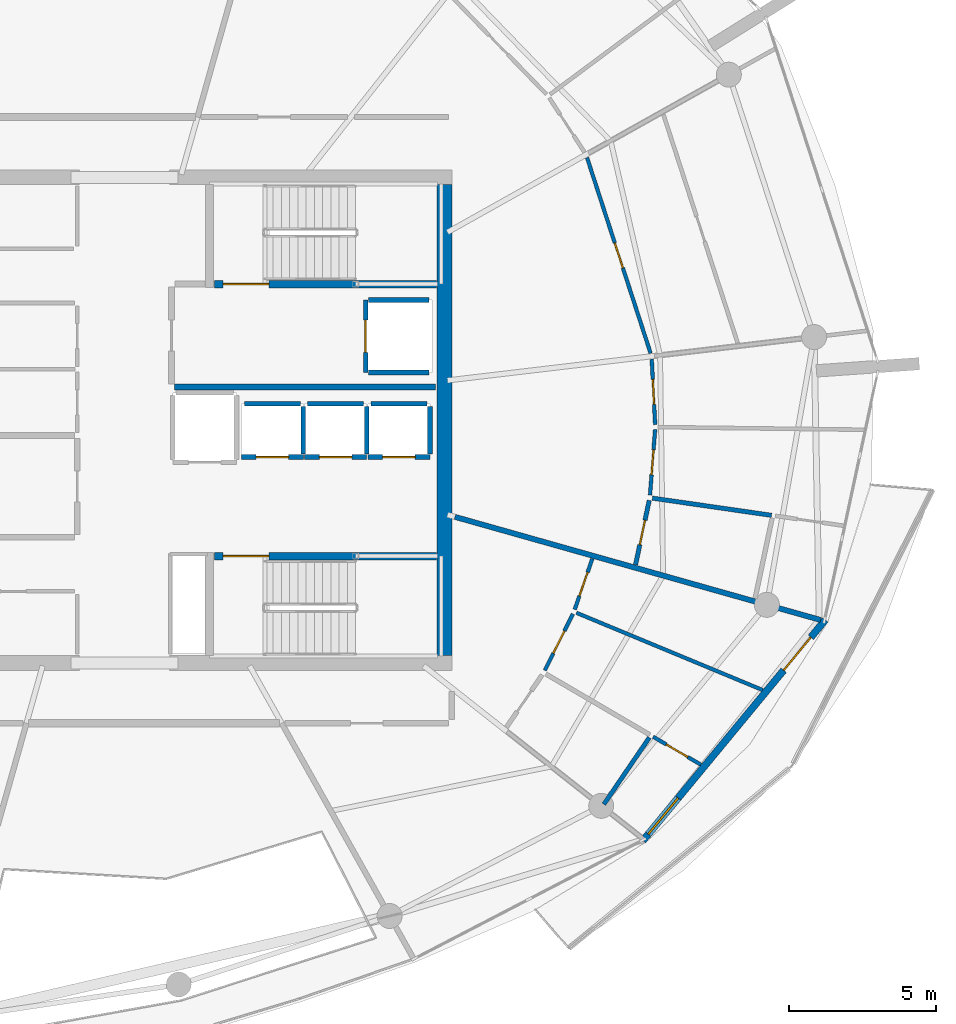
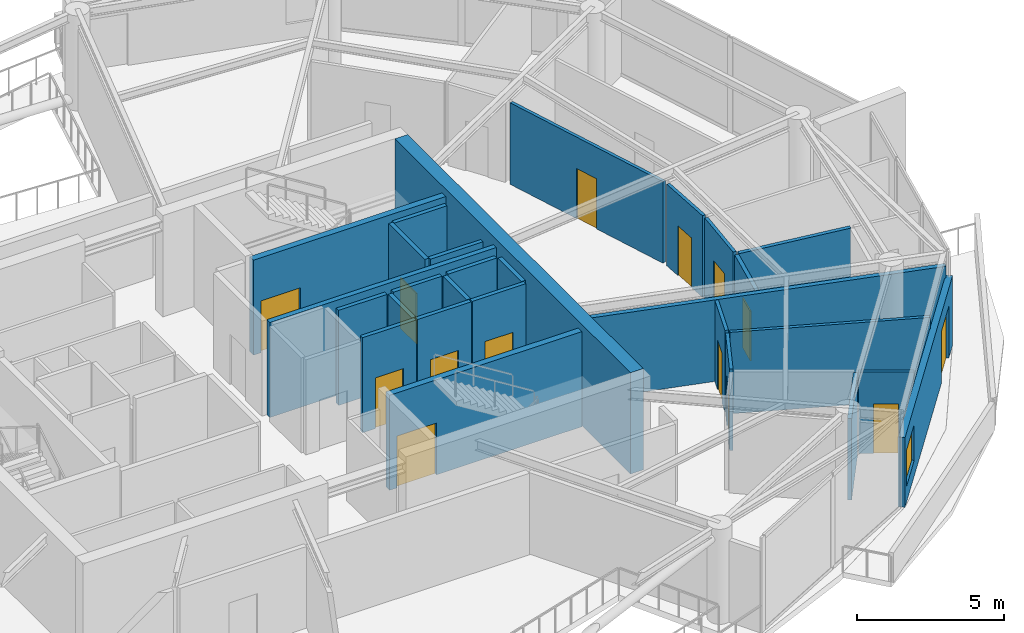
# One storey, part 15 of 22: 28 walls, 14 doors, 1 window, 15 openings.
"""IFC4 building model written with IfcOpenShell, lengths in metres."""

from ifc_helpers import new_model, si_unit, direction, frame, frame_2d, origin, place, context, subcontext, project, spatial, rectangle, extrude, material, layer, layer_set, type_object, element, fill, save


model = new_model("IFC4")

# Units and contexts
model_context = context("Model", 3, precision=1e-05, world=origin(), true_north=direction((0.0, 1.0)))
body_context = subcontext(model_context, "Body", "Model", "MODEL_VIEW")
ifc_project = project(units=[si_unit("LENGTHUNIT", "METRE"), si_unit("AREAUNIT", "SQUARE_METRE"), si_unit("VOLUMEUNIT", "CUBIC_METRE"), si_unit("PLANEANGLEUNIT", "RADIAN"), si_unit("MASSUNIT", "GRAM", prefix="KILO")], contexts=[model_context])

# Site, building, storey
site_placement = place(None, origin())
site = spatial("IfcSite", under=ifc_project, at=site_placement, CompositionType="ELEMENT")
building_placement = place(site_placement, origin())
building = spatial("IfcBuilding", under=site, at=building_placement, Name="Kazma Halo Residences", CompositionType="ELEMENT")
storey_placement = place(building_placement, frame((0.0, 0.0, 330.5)))
storey = spatial("IfcBuildingStorey", under=building, at=storey_placement, Name="L83", CompositionType="ELEMENT", Elevation=330.5)

# Walls
ifc_material_1 = material(Name="Concrete C60/75", Category="concrete")
ifc_layer_1 = layer(ifc_material_1, 0.5)
ifc_layer_set_1 = layer_set([ifc_layer_1], Name="Concrete C60/75")
wall_type_1 = type_object("IfcWallType", Name="WL-CORE-500", PredefinedType="SHEAR", material=ifc_layer_set_1)
wall_1_placement = place(storey_placement, frame((59.300048828125, 34.0, 0.0), z_axis=(0.0, 0.0, 1.0), x_axis=(0.0, 1.0, 0.0)))
element("IfcWall", 1, at=wall_1_placement, inside=storey, type_object=wall_type_1, Name="L83 central core shear wall E", PredefinedType="SHEAR", context=body_context, shape_type="SweptSolid", body=[
    extrude(rectangle(XDim=16.0, YDim=0.5, at=frame_2d((8.0, 0.0))), origin(), (0.0, 0.0, 1.0), 4.199951171875),
])
ifc_material_2 = material(Name="Acoustic Twin-Stud Gypsum")
ifc_layer_2 = layer(ifc_material_2, 0.179931640625)
ifc_layer_set_2 = layer_set([ifc_layer_2], Name="Acoustic Twin-Stud Gypsum")
wall_type_2 = type_object("IfcWallType", Name="WL-DEM-180", PredefinedType="PARTITIONING", material=ifc_layer_set_2)
wall_2_placement = place(storey_placement, frame((59.656005859375, 38.712646484375, 0.0), z_axis=(0.0, 0.0, 1.0), x_axis=(0.962457020055, -0.271434125613, 0.0)))
element("IfcWall", 2, at=wall_2_placement, inside=storey, type_object=wall_type_2, Name="L83 apartment demising radial wall 14", PredefinedType="PARTITIONING", context=body_context, shape_type="SweptSolid", body=[
    extrude(rectangle(XDim=12.916015625, YDim=0.179931640625, at=frame_2d((6.4580078125, 0.0))), origin(), (0.0, 0.0, 1.0), 3.3798828125),
])

# Wall, openings, door, window
ifc_material_3 = material(Name="Insulated Pale-Metal Composite Wall")
ifc_layer_3 = layer(ifc_material_3, 0.239990234375)
ifc_layer_set_3 = layer_set([ifc_layer_3], Name="Insulated Pale-Metal Composite Wall")
wall_type_3 = type_object("IfcWallType", Name="WL-EXT-HOST-240", PredefinedType="SOLIDWALL", material=ifc_layer_set_3)
wall_3_placement = place(storey_placement, frame((66.044677734375, 27.711181640625, 0.0), z_axis=(0.0, 0.0, 1.0), x_axis=(0.636803612721, 0.771026042897, 0.0)))
wall_3 = element("IfcWall", 3, at=wall_3_placement, inside=storey, type_object=wall_type_3, Name="L83 exterior terrace-access wall B14", PredefinedType="SOLIDWALL", context=body_context, shape_type="SweptSolid", body=[
    extrude(rectangle(XDim=9.7275390625, YDim=0.239990234375, at=frame_2d((4.86376953125, 0.0))), origin(), (0.0, 0.0, 1.0), 2.889892578125),
])
opening_1_placement = place(wall_3_placement, frame((7.5078125, 0.0, 0.0)))
opening_1 = element("IfcOpeningElement", 4, at=opening_1_placement, cuts=wall_3, Name="Opening DTR-1600", PredefinedType="OPENING", context=body_context, shape_type="SweptSolid", body=[
    extrude(rectangle(XDim=1.449951171875, YDim=2.14990234375, at=frame_2d((0.72509765625, 1.074951171875))), frame((0.0, 0.1298828125, 0.0), z_axis=(0.0, -1.0, 0.0), x_axis=(1.0, 0.0, 0.0)), (0.0, 0.0, 1.0), 0.260009765625),
])
opening_2_placement = place(wall_3_placement, frame((0.280029296875, 0.0, 0.64990234375)))
opening_2 = element("IfcOpeningElement", 5, at=opening_2_placement, cuts=wall_3, Name="Opening W-1800", PredefinedType="OPENING", context=body_context, shape_type="SweptSolid", body=[
    extrude(rectangle(XDim=1.60009765625, YDim=1.5, at=frame_2d((0.800048828125, 0.75))), frame((0.0, 0.1298828125, 0.0), z_axis=(0.0, -1.0, 0.0), x_axis=(1.0, 0.0, 0.0)), (0.0, 0.0, 1.0), 0.260009765625),
])
ifc_material_4 = material(Name="Aluminium AW-6063 T6 Double-Glazed Terrace Door", Category="aluminium")
door_type_1 = type_object("IfcDoorType", Name="DR-EXT-TERR-1600", OperationType="NOTDEFINED", PredefinedType="DOOR", material=ifc_material_4)
door_1_placement = place(opening_1_placement, origin())
door_1 = element("IfcDoor", 6, at=door_1_placement, inside=storey, type_object=door_type_1, Name="L83 B14 balcony terrace door", OperationType="DOUBLE_DOOR_SLIDING", OverallHeight=2.14990234375, OverallWidth=1.449951171875, PredefinedType="DOOR", context=body_context, shape_type="SweptSolid", body=[
    extrude(rectangle(XDim=1.449951171875, YDim=2.14990234375, at=frame_2d((0.72509765625, 1.074951171875))), frame((0.0, 0.02490234375, 0.0), z_axis=(0.0, -1.0, 0.0), x_axis=(1.0, 0.0, 0.0)), (0.0, 0.0, 1.0), 0.050048828125),
])
fill(opening_1, door_1)
ifc_material_5 = material(Name="Clear Triple-Silver Low-E Glass in Aluminium AW-6063 T6 Frame", Category="aluminium")
window_type = type_object("IfcWindowType", Name="WIN-RES-1800", PartitioningType="DOUBLE_PANEL_VERTICAL", PredefinedType="WINDOW", material=ifc_material_5)
window_placement = place(opening_2_placement, origin())
window = element("IfcWindow", 7, at=window_placement, inside=storey, type_object=window_type, Name="L83 B14 apartment window", OverallHeight=1.5, OverallWidth=1.60009765625, PartitioningType="SINGLE_PANEL", PredefinedType="WINDOW", context=body_context, shape_type="SweptSolid", body=[
    extrude(rectangle(XDim=1.60009765625, YDim=1.5, at=frame_2d((0.800048828125, 0.75))), frame((0.0, 0.030029296875, 0.0), z_axis=(0.0, -1.0, 0.0), x_axis=(1.0, 0.0, 0.0)), (0.0, 0.0, 1.0), 0.06005859375),
])
fill(opening_2, window)

# Wall, opening, door
ifc_material_6 = material(Name="Fire-Rated Blockwork Masonry", Category="masonry")
ifc_layer_4 = layer(ifc_material_6, 0.199951171875)
ifc_layer_set_4 = layer_set([ifc_layer_4], Name="Fire-Rated Blockwork Masonry")
wall_type_4 = type_object("IfcWallType", Name="WL-FLB-200", PredefinedType="PARTITIONING", material=ifc_layer_set_4)
wall_4_placement = place(storey_placement, frame((54.5048828125, 40.7451171875, 0.0), z_axis=(0.0, 0.0, 1.0), x_axis=(-1.0, 0.0, 0.0)))
wall_4 = element("IfcWall", 8, at=wall_4_placement, inside=storey, type_object=wall_type_4, Name="L83 lift shaft PH-01 front wall", PredefinedType="PARTITIONING", context=body_context, shape_type="SweptSolid", body=[
    extrude(rectangle(XDim=2.10986328125, YDim=0.159912109375, at=frame_2d((1.054931640625, 0.0))), origin(), (0.0, 0.0, 1.0), 3.93994140625),
])
opening_3_placement = place(wall_4_placement, frame((0.5048828125, 0.0, 0.0)))
opening_3 = element("IfcOpeningElement", 9, at=opening_3_placement, cuts=wall_4, Name="Opening LD-PH-01", PredefinedType="OPENING", context=body_context, shape_type="SweptSolid", body=[
    extrude(rectangle(XDim=1.10009765625, YDim=2.10009765625, at=frame_2d((0.550048828125, 1.050048828125))), frame((0.0, 0.08984375, 0.0), z_axis=(0.0, -1.0, 0.0), x_axis=(1.0, 0.0, 0.0)), (0.0, 0.0, 1.0), 0.179931640625),
])
ifc_material_7 = material(Name="Stainless Steel Fire-Rated", Category="steel")
door_type_2 = type_object("IfcDoorType", Name="DR-LIFT-SLD-1100", OperationType="DOUBLE_DOOR_SLIDING", PredefinedType="DOOR", material=ifc_material_7)
door_2_placement = place(opening_3_placement, origin())
door_2 = element("IfcDoor", 10, at=door_2_placement, inside=storey, type_object=door_type_2, Name="L83 lift PH-01 sliding landing door", OperationType="DOUBLE_DOOR_SLIDING", OverallHeight=2.10009765625, OverallWidth=1.10009765625, PredefinedType="DOOR", context=body_context, shape_type="SweptSolid", body=[
    extrude(rectangle(XDim=1.10009765625, YDim=2.10009765625, at=frame_2d((0.550048828125, 1.050048828125))), frame((0.0, 0.02490234375, 0.0), z_axis=(0.0, -1.0, 0.0), x_axis=(1.0, 0.0, 0.0)), (0.0, 0.0, 1.0), 0.050048828125),
])
fill(opening_3, door_2)

# Walls
wall_5_placement = place(storey_placement, frame((54.5048828125, 40.844970703125, 0.0), z_axis=(0.0, 0.0, 1.0), x_axis=(0.0, 1.0, 0.0)))
element("IfcWall", 11, at=wall_5_placement, inside=storey, type_object=wall_type_4, Name="L83 lift shaft PH-01 side wall E", PredefinedType="PARTITIONING", context=body_context, shape_type="SweptSolid", body=[
    extrude(rectangle(XDim=1.610107421875, YDim=0.159912109375, at=frame_2d((0.80517578125, 0.0))), origin(), (0.0, 0.0, 1.0), 3.93994140625),
])
wall_6_placement = place(storey_placement, frame((52.4951171875, 42.554931640625, 0.0), z_axis=(0.0, 0.0, 1.0), x_axis=(1.0, 0.0, 0.0)))
element("IfcWall", 12, at=wall_6_placement, inside=storey, type_object=wall_type_4, Name="L83 lift shaft PH-01 side wall N", PredefinedType="PARTITIONING", context=body_context, shape_type="SweptSolid", body=[
    extrude(rectangle(XDim=1.909912109375, YDim=0.159912109375, at=frame_2d((0.955078125, 0.0))), origin(), (0.0, 0.0, 1.0), 3.93994140625),
])

# Wall, opening, door
wall_7_placement = place(storey_placement, frame((56.655029296875, 40.7451171875, 0.0), z_axis=(0.0, 0.0, 1.0), x_axis=(-1.0, 0.0, 0.0)))
wall_7 = element("IfcWall", 13, at=wall_7_placement, inside=storey, type_object=wall_type_4, Name="L83 lift shaft PH-02 front wall", PredefinedType="PARTITIONING", context=body_context, shape_type="SweptSolid", body=[
    extrude(rectangle(XDim=2.110107421875, YDim=0.159912109375, at=frame_2d((1.05517578125, 0.0))), origin(), (0.0, 0.0, 1.0), 3.93994140625),
])
opening_4_placement = place(wall_7_placement, frame((0.5048828125, 0.0, 0.0)))
opening_4 = element("IfcOpeningElement", 14, at=opening_4_placement, cuts=wall_7, Name="Opening LD-PH-02", PredefinedType="OPENING", context=body_context, shape_type="SweptSolid", body=[
    extrude(rectangle(XDim=1.10009765625, YDim=2.10009765625, at=frame_2d((0.550048828125, 1.050048828125))), frame((0.0, 0.08984375, 0.0), z_axis=(0.0, -1.0, 0.0), x_axis=(1.0, 0.0, 0.0)), (0.0, 0.0, 1.0), 0.179931640625),
])
door_3_placement = place(opening_4_placement, origin())
door_3 = element("IfcDoor", 15, at=door_3_placement, inside=storey, type_object=door_type_2, Name="L83 lift PH-02 sliding landing door", OperationType="DOUBLE_DOOR_SLIDING", OverallHeight=2.10009765625, OverallWidth=1.10009765625, PredefinedType="DOOR", context=body_context, shape_type="SweptSolid", body=[
    extrude(rectangle(XDim=1.10009765625, YDim=2.10009765625, at=frame_2d((0.550048828125, 1.050048828125))), frame((0.0, 0.02490234375, 0.0), z_axis=(0.0, -1.0, 0.0), x_axis=(1.0, 0.0, 0.0)), (0.0, 0.0, 1.0), 0.050048828125),
])
fill(opening_4, door_3)

# Walls
wall_8_placement = place(storey_placement, frame((56.655029296875, 40.844970703125, 0.0), z_axis=(0.0, 0.0, 1.0), x_axis=(0.0, 1.0, 0.0)))
element("IfcWall", 16, at=wall_8_placement, inside=storey, type_object=wall_type_4, Name="L83 lift shaft PH-02 side wall E", PredefinedType="PARTITIONING", context=body_context, shape_type="SweptSolid", body=[
    extrude(rectangle(XDim=1.610107421875, YDim=0.159912109375, at=frame_2d((0.80517578125, 0.0))), origin(), (0.0, 0.0, 1.0), 3.93994140625),
])
wall_9_placement = place(storey_placement, frame((54.64501953125, 42.554931640625, 0.0), z_axis=(0.0, 0.0, 1.0), x_axis=(1.0, 0.0, 0.0)))
element("IfcWall", 17, at=wall_9_placement, inside=storey, type_object=wall_type_4, Name="L83 lift shaft PH-02 side wall N", PredefinedType="PARTITIONING", context=body_context, shape_type="SweptSolid", body=[
    extrude(rectangle(XDim=1.909912109375, YDim=0.159912109375, at=frame_2d((0.955078125, 0.0))), origin(), (0.0, 0.0, 1.0), 3.93994140625),
])

# Wall, opening, door
wall_10_placement = place(storey_placement, frame((58.804931640625, 40.7451171875, 0.0), z_axis=(0.0, 0.0, 1.0), x_axis=(-1.0, 0.0, 0.0)))
wall_10 = element("IfcWall", 18, at=wall_10_placement, inside=storey, type_object=wall_type_4, Name="L83 lift shaft PH-03 front wall", PredefinedType="PARTITIONING", context=body_context, shape_type="SweptSolid", body=[
    extrude(rectangle(XDim=2.10986328125, YDim=0.159912109375, at=frame_2d((1.054931640625, 0.0))), origin(), (0.0, 0.0, 1.0), 3.93994140625),
])
opening_5_placement = place(wall_10_placement, frame((0.5048828125, 0.0, 0.0)))
opening_5 = element("IfcOpeningElement", 19, at=opening_5_placement, cuts=wall_10, Name="Opening LD-PH-03", PredefinedType="OPENING", context=body_context, shape_type="SweptSolid", body=[
    extrude(rectangle(XDim=1.10009765625, YDim=2.10009765625, at=frame_2d((0.550048828125, 1.050048828125))), frame((0.0, 0.08984375, 0.0), z_axis=(0.0, -1.0, 0.0), x_axis=(1.0, 0.0, 0.0)), (0.0, 0.0, 1.0), 0.179931640625),
])
door_4_placement = place(opening_5_placement, origin())
door_4 = element("IfcDoor", 20, at=door_4_placement, inside=storey, type_object=door_type_2, Name="L83 lift PH-03 sliding landing door", OperationType="DOUBLE_DOOR_SLIDING", OverallHeight=2.10009765625, OverallWidth=1.10009765625, PredefinedType="DOOR", context=body_context, shape_type="SweptSolid", body=[
    extrude(rectangle(XDim=1.10009765625, YDim=2.10009765625, at=frame_2d((0.550048828125, 1.050048828125))), frame((0.0, 0.02490234375, 0.0), z_axis=(0.0, -1.0, 0.0), x_axis=(1.0, 0.0, 0.0)), (0.0, 0.0, 1.0), 0.050048828125),
])
fill(opening_5, door_4)

# Walls
wall_11_placement = place(storey_placement, frame((58.804931640625, 40.844970703125, 0.0), z_axis=(0.0, 0.0, 1.0), x_axis=(0.0, 1.0, 0.0)))
element("IfcWall", 21, at=wall_11_placement, inside=storey, type_object=wall_type_4, Name="L83 lift shaft PH-03 side wall E", PredefinedType="PARTITIONING", context=body_context, shape_type="SweptSolid", body=[
    extrude(rectangle(XDim=1.610107421875, YDim=0.159912109375, at=frame_2d((0.80517578125, 0.0))), origin(), (0.0, 0.0, 1.0), 3.93994140625),
])
wall_12_placement = place(storey_placement, frame((56.794921875, 42.554931640625, 0.0), z_axis=(0.0, 0.0, 1.0), x_axis=(1.0, 0.0, 0.0)))
element("IfcWall", 22, at=wall_12_placement, inside=storey, type_object=wall_type_4, Name="L83 lift shaft PH-03 side wall N", PredefinedType="PARTITIONING", context=body_context, shape_type="SweptSolid", body=[
    extrude(rectangle(XDim=1.91015625, YDim=0.159912109375, at=frame_2d((0.955078125, 0.0))), origin(), (0.0, 0.0, 1.0), 3.93994140625),
])

# Wall, opening, door
wall_13_placement = place(storey_placement, frame((56.6201171875, 46.080078125, 0.0), z_axis=(0.0, 0.0, 1.0), x_axis=(0.0, -1.0, 0.0)))
wall_13 = element("IfcWall", 23, at=wall_13_placement, inside=storey, type_object=wall_type_4, Name="L83 lift shaft FL-02 front wall", PredefinedType="PARTITIONING", context=body_context, shape_type="SweptSolid", body=[
    extrude(rectangle(XDim=2.4599609375, YDim=0.159912109375, at=frame_2d((1.22998046875, 0.0))), origin(), (0.0, 0.0, 1.0), 3.93994140625),
])
opening_6_placement = place(wall_13_placement, frame((0.679931640625, 0.0, 0.0)))
opening_6 = element("IfcOpeningElement", 24, at=opening_6_placement, cuts=wall_13, Name="Opening LD-FL-02", PredefinedType="OPENING", context=body_context, shape_type="SweptSolid", body=[
    extrude(rectangle(XDim=1.10009765625, YDim=2.10009765625, at=frame_2d((0.550048828125, 1.050048828125))), frame((0.0, 0.08984375, 0.0), z_axis=(0.0, -1.0, 0.0), x_axis=(1.0, 0.0, 0.0)), (0.0, 0.0, 1.0), 0.179931640625),
])
door_5_placement = place(opening_6_placement, origin())
door_5 = element("IfcDoor", 25, at=door_5_placement, inside=storey, type_object=door_type_2, Name="L83 lift FL-02 sliding landing door", OperationType="DOUBLE_DOOR_SLIDING", OverallHeight=2.10009765625, OverallWidth=1.10009765625, PredefinedType="DOOR", context=body_context, shape_type="SweptSolid", body=[
    extrude(rectangle(XDim=1.10009765625, YDim=2.10009765625, at=frame_2d((0.550048828125, 1.050048828125))), frame((0.0, 0.02490234375, 0.0), z_axis=(0.0, -1.0, 0.0), x_axis=(1.0, 0.0, 0.0)), (0.0, 0.0, 1.0), 0.050048828125),
])
fill(opening_6, door_5)

# Walls
for number, where, z_axis, x_axis, name in (
    (26, (56.719970703125, 46.080078125, 0.0), (0.0, 0.0, 1.0), (1.0, 0.0, 0.0), "L83 lift shaft FL-02 side wall N"),
    (27, (56.719970703125, 43.6201171875, 0.0), (0.0, 0.0, 1.0), (1.0, 0.0, 0.0), "L83 lift shaft FL-02 side wall S"),
):
    element("IfcWall", number, at=place(storey_placement, frame(where, z_axis=z_axis, x_axis=x_axis)), inside=storey, type_object=wall_type_4, Name=name, PredefinedType="PARTITIONING", context=body_context, shape_type="SweptSolid", body=[
        extrude(rectangle(XDim=2.06005859375, YDim=0.159912109375, at=frame_2d((1.030029296875, 0.0))), origin(), (0.0, 0.0, 1.0), 3.93994140625),
    ])
wall_14_placement = place(storey_placement, frame((50.1201171875, 43.1201171875, 0.0), z_axis=(0.0, 0.0, 1.0), x_axis=(1.0, 0.0, 0.0)))
element("IfcWall", 28, at=wall_14_placement, inside=storey, type_object=wall_type_4, Name="L83 east firefighting lobby south smoke wall", PredefinedType="PARTITIONING", context=body_context, shape_type="SweptSolid", body=[
    extrude(rectangle(XDim=8.8798828125, YDim=0.199951171875, at=frame_2d((4.43994140625, 0.0))), origin(), (0.0, 0.0, 1.0), 3.93994140625),
])

# Wall, opening, door
ifc_material_8 = material(Name="Gypsum Plasterboard Partition")
ifc_layer_5 = layer(ifc_material_8, 0.125)
ifc_layer_set_5 = layer_set([ifc_layer_5], Name="Gypsum Plasterboard Partition")
wall_type_5 = type_object("IfcWallType", Name="WL-PART-125", PredefinedType="PARTITIONING", material=ifc_layer_set_5)
wall_15_placement = place(storey_placement, frame((66.389892578125, 31.240966796875, 0.0), z_axis=(0.0, 0.0, 1.0), x_axis=(0.863105475884, -0.505023699939, 0.0)))
wall_15 = element("IfcWall", 29, at=wall_15_placement, inside=storey, type_object=wall_type_5, Name="L83 Penthouse 3 Utility Laundry Room partition wall", PredefinedType="PARTITIONING", context=body_context, shape_type="SweptSolid", body=[
    extrude(rectangle(XDim=1.882568359375, YDim=0.125, at=frame_2d((0.94140625, 0.0))), origin(), (0.0, 0.0, 1.0), 3.3798828125),
])
opening_7_placement = place(wall_15_placement, frame((0.51611328125, 0.0, 0.0)))
opening_7 = element("IfcOpeningElement", 30, at=opening_7_placement, cuts=wall_15, Name="Opening DB-900", PredefinedType="OPENING", context=body_context, shape_type="SweptSolid", body=[
    extrude(rectangle(XDim=0.85009765625, YDim=2.06005859375, at=frame_2d((0.425048828125, 1.030029296875))), frame((0.0, 0.072509765625, 0.0), z_axis=(0.0, -1.0, 0.0), x_axis=(1.0, 0.0, 0.0)), (0.0, 0.0, 1.0), 0.14501953125),
])
ifc_material_9 = material(Name="Moisture-Sealed Timber Leaf", Category="wood")
door_type_3 = type_object("IfcDoorType", Name="DR-BTH-900", OperationType="NOTDEFINED", PredefinedType="DOOR", material=ifc_material_9)
door_6_placement = place(opening_7_placement, origin())
door_6 = element("IfcDoor", 31, at=door_6_placement, inside=storey, type_object=door_type_3, Name="L83 Penthouse 3 Utility Laundry Room door", OperationType="SINGLE_SWING_RIGHT", OverallHeight=2.06005859375, OverallWidth=0.85009765625, PredefinedType="DOOR", context=body_context, shape_type="SweptSolid", body=[
    extrude(rectangle(XDim=0.85009765625, YDim=2.06005859375, at=frame_2d((0.425048828125, 1.030029296875))), frame((0.0, 0.02490234375, 0.0), z_axis=(0.0, -1.0, 0.0), x_axis=(1.0, 0.0, 0.0)), (0.0, 0.0, 1.0), 0.050048828125),
])
fill(opening_7, door_6)

# Wall
wall_16_placement = place(storey_placement, frame((63.781982421875, 35.453369140625, 0.0), z_axis=(0.0, 0.0, 1.0), x_axis=(0.923676337231, -0.383173621274, 0.0)))
element("IfcWall", 32, at=wall_16_placement, inside=storey, type_object=wall_type_5, Name="L83 Penthouse 3 suite divider 13", PredefinedType="PARTITIONING", context=body_context, shape_type="SweptSolid", body=[
    extrude(rectangle(XDim=6.855712890625, YDim=0.125, at=frame_2d((3.427734375, 0.0))), origin(), (0.0, 0.0, 1.0), 3.3798828125),
])

# Wall, opening, door
wall_17_placement = place(storey_placement, frame((62.7099609375, 33.498046875, 0.0), z_axis=(0.0, 0.0, 1.0), x_axis=(0.44506959559, 0.895495982728, 0.0)))
wall_17 = element("IfcWall", 33, at=wall_17_placement, inside=storey, type_object=wall_type_5, Name="L83 Penthouse 3 Gourmet Kitchen hall wall", PredefinedType="PARTITIONING", context=body_context, shape_type="SweptSolid", body=[
    extrude(rectangle(XDim=2.14208984375, YDim=0.125, at=frame_2d((1.071044921875, 0.0))), origin(), (0.0, 0.0, 1.0), 3.3798828125),
])
opening_8_placement = place(wall_17_placement, frame((0.64599609375, 0.0, 0.0)))
opening_8 = element("IfcOpeningElement", 34, at=opening_8_placement, cuts=wall_17, Name="Opening DB-900", PredefinedType="OPENING", context=body_context, shape_type="SweptSolid", body=[
    extrude(rectangle(XDim=0.85009765625, YDim=2.06005859375, at=frame_2d((0.425048828125, 1.030029296875))), frame((0.0, 0.072509765625, 0.0), z_axis=(0.0, -1.0, 0.0), x_axis=(1.0, 0.0, 0.0)), (0.0, 0.0, 1.0), 0.14501953125),
])
door_7_placement = place(opening_8_placement, origin())
door_7 = element("IfcDoor", 35, at=door_7_placement, inside=storey, type_object=door_type_3, Name="L83 Penthouse 3 Gourmet Kitchen door", OperationType="SINGLE_SWING_LEFT", OverallHeight=2.06005859375, OverallWidth=0.85009765625, PredefinedType="DOOR", context=body_context, shape_type="SweptSolid", body=[
    extrude(rectangle(XDim=0.85009765625, YDim=2.06005859375, at=frame_2d((0.425048828125, 1.030029296875))), frame((0.0, 0.02490234375, 0.0), z_axis=(0.0, -1.0, 0.0), x_axis=(1.0, 0.0, 0.0)), (0.0, 0.0, 1.0), 0.050048828125),
])
fill(opening_8, door_7)

wall_18_placement = place(storey_placement, frame((63.72509765625, 35.5634765625, 0.0), z_axis=(0.0, 0.0, 1.0), x_axis=(0.327971997205, 0.944687445163, 0.0)))
wall_18 = element("IfcWall", 36, at=wall_18_placement, inside=storey, type_object=wall_type_5, Name="L83 Penthouse 3 Primary Bedroom hall wall", PredefinedType="PARTITIONING", context=body_context, shape_type="SweptSolid", body=[
    extrude(rectangle(XDim=1.829833984375, YDim=0.125, at=frame_2d((0.9150390625, 0.0))), origin(), (0.0, 0.0, 1.0), 3.3798828125),
])
opening_9_placement = place(wall_18_placement, frame((0.489990234375, 0.0, 0.0)))
opening_9 = element("IfcOpeningElement", 37, at=opening_9_placement, cuts=wall_18, Name="Opening DB-900", PredefinedType="OPENING", context=body_context, shape_type="SweptSolid", body=[
    extrude(rectangle(XDim=0.85009765625, YDim=2.06005859375, at=frame_2d((0.425048828125, 1.030029296875))), frame((0.0, 0.072509765625, 0.0), z_axis=(0.0, -1.0, 0.0), x_axis=(1.0, 0.0, 0.0)), (0.0, 0.0, 1.0), 0.14501953125),
])
door_8_placement = place(opening_9_placement, origin())
door_8 = element("IfcDoor", 38, at=door_8_placement, inside=storey, type_object=door_type_3, Name="L83 Penthouse 3 Primary Bedroom door", OperationType="SINGLE_SWING_RIGHT", OverallHeight=2.06005859375, OverallWidth=0.85009765625, PredefinedType="DOOR", context=body_context, shape_type="SweptSolid", body=[
    extrude(rectangle(XDim=0.85009765625, YDim=2.06005859375, at=frame_2d((0.425048828125, 1.030029296875))), frame((0.0, 0.02490234375, 0.0), z_axis=(0.0, -1.0, 0.0), x_axis=(1.0, 0.0, 0.0)), (0.0, 0.0, 1.0), 0.050048828125),
])
fill(opening_9, door_8)

wall_19_placement = place(storey_placement, frame((66.28369140625, 39.451904296875, 0.0), z_axis=(0.0, 0.0, 1.0), x_axis=(0.077946923976, 0.996957510149, 0.0)))
wall_19 = element("IfcWall", 39, at=wall_19_placement, inside=storey, type_object=wall_type_5, Name="L83 Penthouse 4 Gourmet Kitchen hall wall", PredefinedType="PARTITIONING", context=body_context, shape_type="SweptSolid", body=[
    extrude(rectangle(XDim=2.239501953125, YDim=0.125, at=frame_2d((1.11962890625, 0.0))), origin(), (0.0, 0.0, 1.0), 3.3798828125),
])
opening_10_placement = place(wall_19_placement, frame((0.694580078125, 0.0, 0.0)))
opening_10 = element("IfcOpeningElement", 40, at=opening_10_placement, cuts=wall_19, Name="Opening DB-900", PredefinedType="OPENING", context=body_context, shape_type="SweptSolid", body=[
    extrude(rectangle(XDim=0.85009765625, YDim=2.06005859375, at=frame_2d((0.425048828125, 1.030029296875))), frame((0.0, 0.072509765625, 0.0), z_axis=(0.0, -1.0, 0.0), x_axis=(1.0, 0.0, 0.0)), (0.0, 0.0, 1.0), 0.14501953125),
])
door_9_placement = place(opening_10_placement, origin())
door_9 = element("IfcDoor", 41, at=door_9_placement, inside=storey, type_object=door_type_3, Name="L83 Penthouse 4 Gourmet Kitchen door", OperationType="SINGLE_SWING_RIGHT", OverallHeight=2.06005859375, OverallWidth=0.85009765625, PredefinedType="DOOR", context=body_context, shape_type="SweptSolid", body=[
    extrude(rectangle(XDim=0.85009765625, YDim=2.06005859375, at=frame_2d((0.425048828125, 1.030029296875))), frame((0.0, 0.02490234375, 0.0), z_axis=(0.0, -1.0, 0.0), x_axis=(1.0, 0.0, 0.0)), (0.0, 0.0, 1.0), 0.050048828125),
])
fill(opening_10, door_9)

wall_20_placement = place(storey_placement, frame((66.460205078125, 41.84423828125, 0.0), z_axis=(0.0, 0.0, 1.0), x_axis=(-0.052455372953, 0.99862326923, 0.0)))
wall_20 = element("IfcWall", 42, at=wall_20_placement, inside=storey, type_object=wall_type_5, Name="L83 Penthouse 4 Primary Bedroom hall wall", PredefinedType="PARTITIONING", context=body_context, shape_type="SweptSolid", body=[
    extrude(rectangle(XDim=2.2294921875, YDim=0.125, at=frame_2d((1.11474609375, 0.0))), origin(), (0.0, 0.0, 1.0), 3.3798828125),
])
opening_11_placement = place(wall_20_placement, frame((0.689697265625, 0.0, 0.0)))
opening_11 = element("IfcOpeningElement", 43, at=opening_11_placement, cuts=wall_20, Name="Opening DB-900", PredefinedType="OPENING", context=body_context, shape_type="SweptSolid", body=[
    extrude(rectangle(XDim=0.85009765625, YDim=2.06005859375, at=frame_2d((0.425048828125, 1.030029296875))), frame((0.0, 0.072509765625, 0.0), z_axis=(0.0, -1.0, 0.0), x_axis=(1.0, 0.0, 0.0)), (0.0, 0.0, 1.0), 0.14501953125),
])
door_10_placement = place(opening_11_placement, origin())
door_10 = element("IfcDoor", 44, at=door_10_placement, inside=storey, type_object=door_type_3, Name="L83 Penthouse 4 Primary Bedroom door", OperationType="SINGLE_SWING_LEFT", OverallHeight=2.06005859375, OverallWidth=0.85009765625, PredefinedType="DOOR", context=body_context, shape_type="SweptSolid", body=[
    extrude(rectangle(XDim=0.85009765625, YDim=2.06005859375, at=frame_2d((0.425048828125, 1.030029296875))), frame((0.0, 0.02490234375, 0.0), z_axis=(0.0, -1.0, 0.0), x_axis=(1.0, 0.0, 0.0)), (0.0, 0.0, 1.0), 0.050048828125),
])
fill(opening_11, door_10)

wall_21_placement = place(storey_placement, frame((66.303955078125, 44.27490234375, 0.0), z_axis=(0.0, 0.0, 1.0), x_axis=(-0.309004669588, 0.951060520773, 0.0)))
wall_21 = element("IfcWall", 45, at=wall_21_placement, inside=storey, type_object=wall_type_5, Name="L83 Penthouse 4 Primary Study hall wall", PredefinedType="PARTITIONING", context=body_context, shape_type="SweptSolid", body=[
    extrude(rectangle(XDim=6.985107421875, YDim=0.125, at=frame_2d((3.49267578125, 0.0))), origin(), (0.0, 0.0, 1.0), 3.3798828125),
])
opening_12_placement = place(wall_21_placement, frame((3.04248046875, 0.0, 0.0)))
opening_12 = element("IfcOpeningElement", 46, at=opening_12_placement, cuts=wall_21, Name="Opening DI-950", PredefinedType="OPENING", context=body_context, shape_type="SweptSolid", body=[
    extrude(rectangle(XDim=0.89990234375, YDim=2.080078125, at=frame_2d((0.449951171875, 1.0400390625))), frame((0.0, 0.072509765625, 0.0), z_axis=(0.0, -1.0, 0.0), x_axis=(1.0, 0.0, 0.0)), (0.0, 0.0, 1.0), 0.14501953125),
])
ifc_material_10 = material(Name="Timber Veneer Flush Leaf", Category="wood")
door_type_4 = type_object("IfcDoorType", Name="DR-INT-950", OperationType="NOTDEFINED", PredefinedType="DOOR", material=ifc_material_10)
door_11_placement = place(opening_12_placement, origin())
door_11 = element("IfcDoor", 47, at=door_11_placement, inside=storey, type_object=door_type_4, Name="L83 Penthouse 4 Primary Study door", OperationType="SINGLE_SWING_LEFT", OverallHeight=2.080078125, OverallWidth=0.89990234375, PredefinedType="DOOR", context=body_context, shape_type="SweptSolid", body=[
    extrude(rectangle(XDim=0.89990234375, YDim=2.080078125, at=frame_2d((0.449951171875, 1.0400390625))), frame((0.0, 0.02490234375, 0.0), z_axis=(0.0, -1.0, 0.0), x_axis=(1.0, 0.0, 0.0)), (0.0, 0.0, 1.0), 0.050048828125),
])
fill(opening_12, door_11)

ifc_material_11 = material(Name="Concrete C50/60", Category="concrete")
ifc_layer_6 = layer(ifc_material_11, 0.25)
ifc_layer_set_6 = layer_set([ifc_layer_6], Name="Concrete C50/60")
wall_type_6 = type_object("IfcWallType", Name="WL-SHF-250", PredefinedType="SOLIDWALL", material=ifc_layer_set_6)
wall_22_placement = place(storey_placement, frame((51.47998046875, 46.6201171875, 0.0), z_axis=(0.0, 0.0, 1.0), x_axis=(1.0, 0.0, 0.0)))
wall_22 = element("IfcWall", 48, at=wall_22_placement, inside=storey, type_object=wall_type_6, Name="L83 exit stair ST-02 enclosure wall", PredefinedType="SOLIDWALL", context=body_context, shape_type="SweptSolid", body=[
    extrude(rectangle(XDim=7.5400390625, YDim=0.25, at=frame_2d((3.77001953125, 0.0))), origin(), (0.0, 0.0, 1.0), 3.93994140625),
])
opening_13_placement = place(wall_22_placement, frame((0.300048828125, 0.0, 0.0)))
opening_13 = element("IfcOpeningElement", 49, at=opening_13_placement, cuts=wall_22, Name="Opening D-ST2", PredefinedType="OPENING", context=body_context, shape_type="SweptSolid", body=[
    extrude(rectangle(XDim=1.550048828125, YDim=2.14990234375, at=frame_2d((0.77490234375, 1.074951171875))), frame((0.0, 0.135009765625, 0.0), z_axis=(0.0, -1.0, 0.0), x_axis=(1.0, 0.0, 0.0)), (0.0, 0.0, 1.0), 0.27001953125),
])
ifc_material_12 = material(Name="Fire-Rated Double Steel Leaf", Category="steel")
door_type_5 = type_object("IfcDoorType", Name="DR-FD90-1550", OperationType="NOTDEFINED", PredefinedType="DOOR", material=ifc_material_12)
door_12_placement = place(opening_13_placement, origin())
door_12 = element("IfcDoor", 50, at=door_12_placement, inside=storey, type_object=door_type_5, Name="L83 exit stair ST-02 fire door", OperationType="DOUBLE_DOOR_SINGLE_SWING", OverallHeight=2.14990234375, OverallWidth=1.550048828125, PredefinedType="DOOR", context=body_context, shape_type="SweptSolid", body=[
    extrude(rectangle(XDim=1.550048828125, YDim=2.14990234375, at=frame_2d((0.77490234375, 1.074951171875))), frame((0.0, 0.02490234375, 0.0), z_axis=(0.0, -1.0, 0.0), x_axis=(1.0, 0.0, 0.0)), (0.0, 0.0, 1.0), 0.050048828125),
])
fill(opening_13, door_12)

wall_23_placement = place(storey_placement, frame((51.47998046875, 37.3798828125, 0.0), z_axis=(0.0, 0.0, 1.0), x_axis=(1.0, 0.0, 0.0)))
wall_23 = element("IfcWall", 51, at=wall_23_placement, inside=storey, type_object=wall_type_6, Name="L83 exit stair ST-03 enclosure wall", PredefinedType="SOLIDWALL", context=body_context, shape_type="SweptSolid", body=[
    extrude(rectangle(XDim=7.5400390625, YDim=0.25, at=frame_2d((3.77001953125, 0.0))), origin(), (0.0, 0.0, 1.0), 3.93994140625),
])
opening_14_placement = place(wall_23_placement, frame((0.300048828125, 0.0, 0.0)))
opening_14 = element("IfcOpeningElement", 52, at=opening_14_placement, cuts=wall_23, Name="Opening D-ST3", PredefinedType="OPENING", context=body_context, shape_type="SweptSolid", body=[
    extrude(rectangle(XDim=1.550048828125, YDim=2.14990234375, at=frame_2d((0.77490234375, 1.074951171875))), frame((0.0, 0.135009765625, 0.0), z_axis=(0.0, -1.0, 0.0), x_axis=(1.0, 0.0, 0.0)), (0.0, 0.0, 1.0), 0.27001953125),
])
door_13_placement = place(opening_14_placement, origin())
door_13 = element("IfcDoor", 53, at=door_13_placement, inside=storey, type_object=door_type_5, Name="L83 exit stair ST-03 fire door", OperationType="DOUBLE_DOOR_SINGLE_SWING", OverallHeight=2.14990234375, OverallWidth=1.550048828125, PredefinedType="DOOR", context=body_context, shape_type="SweptSolid", body=[
    extrude(rectangle(XDim=1.550048828125, YDim=2.14990234375, at=frame_2d((0.77490234375, 1.074951171875))), frame((0.0, 0.02490234375, 0.0), z_axis=(0.0, -1.0, 0.0), x_axis=(1.0, 0.0, 0.0)), (0.0, 0.0, 1.0), 0.050048828125),
])
fill(opening_14, door_13)

# Wall
ifc_material_13 = material(Name="Moisture-Resistant Gypsum")
ifc_layer_7 = layer(ifc_material_13, 0.14990234375)
ifc_layer_set_7 = layer_set([ifc_layer_7], Name="Moisture-Resistant Gypsum")
wall_type_7 = type_object("IfcWallType", Name="WL-WET-150", PredefinedType="PARTITIONING", material=ifc_layer_set_7)
wall_24_placement = place(storey_placement, frame((64.717529296875, 28.947998046875, 0.0), z_axis=(0.0, 0.0, 1.0), x_axis=(0.563428051063, 0.826165135596, 0.0)))
element("IfcWall", 54, at=wall_24_placement, inside=storey, type_object=wall_type_7, Name="L83 Penthouse 3 Guest Bathroom back wall", PredefinedType="PARTITIONING", context=body_context, shape_type="SweptSolid", body=[
    extrude(rectangle(XDim=2.740234375, YDim=0.14990234375, at=frame_2d((1.3701171875, 0.0))), origin(), (0.0, 0.0, 1.0), 3.3798828125),
])

# Wall, opening, door
wall_25_placement = place(storey_placement, frame((65.79345703125, 37.08544921875, 0.0), z_axis=(0.0, 0.0, 1.0), x_axis=(0.207539014182, 0.978226741401, 0.0)))
wall_25 = element("IfcWall", 55, at=wall_25_placement, inside=storey, type_object=wall_type_7, Name="L83 Penthouse 4 Guest Bathroom hall wall", PredefinedType="PARTITIONING", context=body_context, shape_type="SweptSolid", body=[
    extrude(rectangle(XDim=2.237548828125, YDim=0.14990234375, at=frame_2d((1.11865234375, 0.0))), origin(), (0.0, 0.0, 1.0), 3.3798828125),
])
opening_15_placement = place(wall_25_placement, frame((0.69384765625, 0.0, 0.0)))
opening_15 = element("IfcOpeningElement", 56, at=opening_15_placement, cuts=wall_25, Name="Opening DB-900", PredefinedType="OPENING", context=body_context, shape_type="SweptSolid", body=[
    extrude(rectangle(XDim=0.85009765625, YDim=2.06005859375, at=frame_2d((0.425048828125, 1.030029296875))), frame((0.0, 0.0849609375, 0.0), z_axis=(0.0, -1.0, 0.0), x_axis=(1.0, 0.0, 0.0)), (0.0, 0.0, 1.0), 0.169921875),
])
door_14_placement = place(opening_15_placement, origin())
door_14 = element("IfcDoor", 57, at=door_14_placement, inside=storey, type_object=door_type_3, Name="L83 Penthouse 4 Guest Bathroom door", OperationType="SINGLE_SWING_RIGHT", OverallHeight=2.06005859375, OverallWidth=0.85009765625, PredefinedType="DOOR", context=body_context, shape_type="SweptSolid", body=[
    extrude(rectangle(XDim=0.85009765625, YDim=2.06005859375, at=frame_2d((0.425048828125, 1.030029296875))), frame((0.0, 0.02490234375, 0.0), z_axis=(0.0, -1.0, 0.0), x_axis=(1.0, 0.0, 0.0)), (0.0, 0.0, 1.0), 0.050048828125),
])
fill(opening_15, door_14)

# Wall
wall_26_placement = place(storey_placement, frame((66.36572265625, 39.349365234375, 0.0), z_axis=(0.0, 0.0, 1.0), x_axis=(0.989745523023, -0.142841869404, 0.0)))
element("IfcWall", 58, at=wall_26_placement, inside=storey, type_object=wall_type_7, Name="L83 Penthouse 4 Guest Bathroom side wall", PredefinedType="PARTITIONING", context=body_context, shape_type="SweptSolid", body=[
    extrude(rectangle(XDim=4.090087890625, YDim=0.14990234375, at=frame_2d((2.044921875, 0.0))), origin(), (0.0, 0.0, 1.0), 3.3798828125),
])

save(model, "model.ifc")
